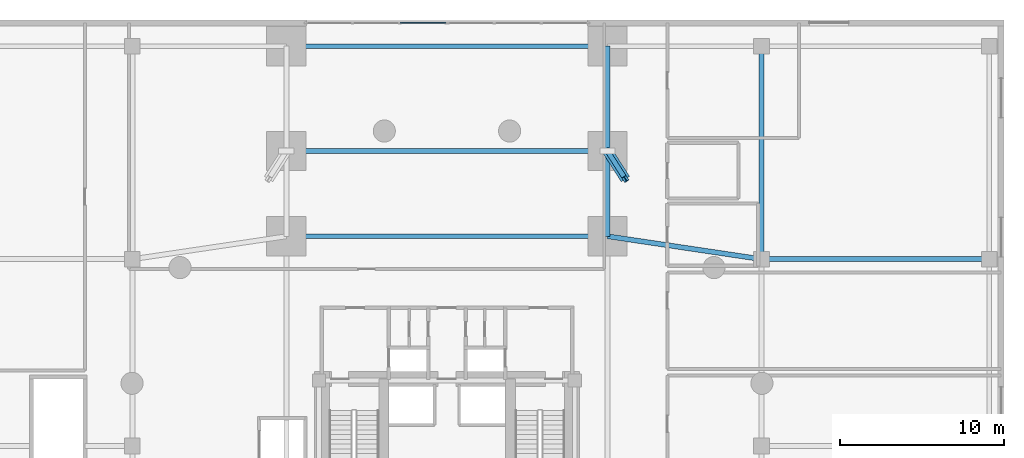
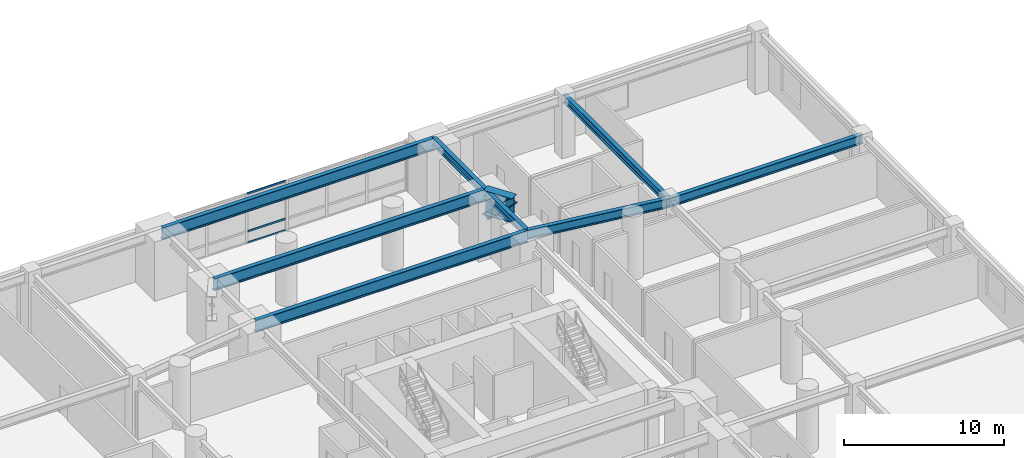
# One storey, part 11 of 17: 9 beams, 4 members, 1 element without a shape of its own.
"""IFC4 building model written with IfcOpenShell, lengths in metres."""

import ifcopenshell
import ifcopenshell.guid

model = None  # the IFC model being written
_history = None  # IfcOwnerHistory: only IFC2X3 demands one
_inside = {}  # id of a spatial element -> (the spatial element, [elements in it])
_under = {}  # id of a project, library or spatial element -> (it, [spatial elements below it])
_declared = {}  # id of a project -> (the project, [libraries it declares])
_typed = {}  # id of a type object -> (the type object, [elements of that type])
_made_of = {}  # id of a material, layer set ... -> (it, [elements and type objects made of it])


def new_model(schema):
    """Start an empty IFC model of exactly this schema.

    Asked for "IFC4X3", IfcOpenShell would pick the latest addendum, in which some entities
    have other attributes; the version numbers below select the first issue.
    IFC2X3 requires an IfcOwnerHistory on every rooted entity: one is made here for all.
    """
    global model, _history
    if schema == "IFC4X3":
        model = ifcopenshell.file(schema_version=(4, 3, 0, 0))
    else:
        model = ifcopenshell.file(schema=schema)
    _inside.clear()
    _under.clear()
    _declared.clear()
    _typed.clear()
    _made_of.clear()
    _history = None
    if model.schema == "IFC2X3":
        org = make("IfcOrganization", Name="unknown")
        user = make(
            "IfcPersonAndOrganization",
            ThePerson=make("IfcPerson", FamilyName="unknown"),
            TheOrganization=org,
        )
        app = make(
            "IfcApplication",
            ApplicationDeveloper=org,
            Version="unknown",
            ApplicationFullName="unknown",
            ApplicationIdentifier="unknown",
        )
        _history = make(
            "IfcOwnerHistory",
            OwningUser=user,
            OwningApplication=app,
            ChangeAction="ADDED",
            CreationDate=0,
        )
    return model


def make(cls, **values):
    """One entity of the class cls with the attributes given. An attribute that is None is left unset."""
    return model.create_entity(
        cls, **{name: value for name, value in values.items() if value is not None}
    )


def rooted(cls, **values):
    """An entity with a GlobalId (a new one), such as an element, a storey or a relation."""
    return make(cls, GlobalId=ifcopenshell.guid.new(), OwnerHistory=_history, **values)


def si_unit(unit_type, name, prefix=None):
    """IfcSIUnit, for example si_unit("LENGTHUNIT", "METRE", prefix="MILLI")."""
    return make("IfcSIUnit", UnitType=unit_type, Prefix=prefix, Name=name)


def assignment(units):
    """IfcUnitAssignment: the units of a project."""
    return None if units is None else make("IfcUnitAssignment", Units=units)


def point(xyz):
    """IfcCartesianPoint."""
    return None if xyz is None else make("IfcCartesianPoint", Coordinates=xyz)


def direction(xyz):
    """IfcDirection."""
    return None if xyz is None else make("IfcDirection", DirectionRatios=xyz)


def frame(location, z_axis=None, x_axis=None):
    """IfcAxis2Placement3D, a coordinate frame: its origin and axes. An axis left out is left unset."""
    return make(
        "IfcAxis2Placement3D",
        Location=point(location),
        Axis=direction(z_axis),
        RefDirection=direction(x_axis),
    )


def frame_2d(location, x_axis=None):
    """IfcAxis2Placement2D, a coordinate frame in the plane: its origin and x axis."""
    return make(
        "IfcAxis2Placement2D", Location=point(location), RefDirection=direction(x_axis)
    )


def origin():
    """The frame at (0, 0, 0) with its axes left unset."""
    return frame((0.0, 0.0, 0.0))


def origin_2d():
    """The frame at (0, 0) in the plane with its x axis left unset."""
    return frame_2d((0.0, 0.0))


def place(relative_to, where):
    """IfcLocalPlacement: puts the frame where relative to a parent placement (None: the world)."""
    return make(
        "IfcLocalPlacement", PlacementRelTo=relative_to, RelativePlacement=where
    )


def context(
    kind, dimensions, precision=None, world=None, true_north=None, identifier=None
):
    """IfcGeometricRepresentationContext, for example the 3D "Model" context."""
    return make(
        "IfcGeometricRepresentationContext",
        ContextIdentifier=identifier,
        ContextType=kind,
        CoordinateSpaceDimension=dimensions,
        Precision=precision,
        WorldCoordinateSystem=world,
        TrueNorth=true_north,
    )


def subcontext(parent, identifier, kind, view, scale=None):
    """IfcGeometricRepresentationSubContext, for example "Body" below "Model"."""
    return make(
        "IfcGeometricRepresentationSubContext",
        ContextIdentifier=identifier,
        ContextType=kind,
        ParentContext=parent,
        TargetScale=scale,
        TargetView=view,
    )


def project(units=None, contexts=None):
    """IfcProject with its units and contexts."""
    return rooted(
        "IfcProject",
        Name="project",
        RepresentationContexts=contexts,
        UnitsInContext=assignment(units),
    )


def spatial(cls, under=None, at=None, **own):
    """A site, building, storey or space (cls), placed at a placement, below another one or the project."""
    s = rooted(cls, ObjectPlacement=at, **own)
    if under is not None:
        _under.setdefault(under.id(), (under, []))[1].append(s)
    return s


def profile(cls, at=None, kind="AREA", **sizes):
    """A parametric profile (cls). Its sizes go by their IFC names, for example OverallWidth=200.0."""
    return make(cls, ProfileType=kind, Position=at, **sizes)


def hollow_rectangle(**sizes):
    """IfcRectangleHollowProfileDef."""
    return profile("IfcRectangleHollowProfileDef", **sizes)


def i_section(**sizes):
    """IfcIShapeProfileDef."""
    return profile("IfcIShapeProfileDef", **sizes)


def extrude(swept, where, along, depth):
    """IfcExtrudedAreaSolid: the profile swept, set in the frame where, extruded along a direction by depth."""
    return make(
        "IfcExtrudedAreaSolid",
        SweptArea=swept,
        Position=where,
        ExtrudedDirection=direction(along),
        Depth=depth,
    )


def shape(context_of_items, identifier, shape_type, items):
    """IfcShapeRepresentation: the items that make up one representation, for example the "Body"."""
    return make(
        "IfcShapeRepresentation",
        ContextOfItems=context_of_items,
        RepresentationIdentifier=identifier,
        RepresentationType=shape_type,
        Items=items,
    )


def material(Name=None, Category=None):
    """IfcMaterial."""
    return make("IfcMaterial", Name=Name, Category=Category)


def layer(
    of_material, thickness, ventilated=None, Name=None, Category=None, Priority=None
):
    """IfcMaterialLayer: one layer of a wall or slab, of a material (None: an air gap)."""
    return make(
        "IfcMaterialLayer",
        Material=of_material,
        LayerThickness=thickness,
        IsVentilated=ventilated,
        Name=Name,
        Category=Category,
        Priority=Priority,
    )


def layer_set(layers, Name=None):
    """IfcMaterialLayerSet."""
    return make("IfcMaterialLayerSet", MaterialLayers=layers, LayerSetName=Name)


def material_profile(
    of_material, cross_section, Name=None, Category=None, Priority=None
):
    """IfcMaterialProfile: a cross section and its material."""
    return make(
        "IfcMaterialProfile",
        Name=Name,
        Material=of_material,
        Profile=cross_section,
        Priority=Priority,
        Category=Category,
    )


def profile_set(profiles, Name=None, composite=None):
    """IfcMaterialProfileSet."""
    return make(
        "IfcMaterialProfileSet",
        Name=Name,
        MaterialProfiles=profiles,
        CompositeProfile=composite,
    )


def made_of(thing, what):
    """Note that an element or type object is made of a material, layer set ...; save() writes the relation."""
    if what is not None:
        _made_of.setdefault(what.id(), (what, []))[1].append(thing)
    return thing


def type_object(cls, material=None, **own):
    """A type object (cls), such as IfcWallType, which elements share."""
    return made_of(rooted(cls, **own), material)


def element(
    cls,
    number,
    at=None,
    inside=None,
    cuts=None,
    type_object=None,
    material=None,
    context=None,
    identifier="Body",
    shape_type=None,
    held_by="IfcProductDefinitionShape",
    body=None,
    shapes=None,
    **own,
):
    """One element of the class cls, such as IfcWall. Its Tag is "e" and its number.

    at: its placement. inside: the storey or other place that contains it. cuts: it is an
    opening in that element (IfcRelVoidsElement). A single representation is given by context,
    identifier, shape_type and body (its items); several are given by shapes. held_by: the class
    of the entity that holds the representations. save() writes the other relations.
    """
    e = rooted(cls, Tag="e%d" % number, ObjectPlacement=at, **own)
    if body is not None:
        shapes = [shape(context, identifier, shape_type, body)]
    if shapes is not None:
        e.Representation = make(held_by, Representations=shapes)
    if inside is not None:
        _inside.setdefault(inside.id(), (inside, []))[1].append(e)
    if cuts is not None:
        rooted(
            "IfcRelVoidsElement", RelatingBuildingElement=cuts, RelatedOpeningElement=e
        )
    if type_object is not None:
        _typed.setdefault(type_object.id(), (type_object, []))[1].append(e)
    return made_of(e, material)


def aggregate(whole, parts):
    """IfcRelAggregates: a whole, such as a stair, and the parts it consists of."""
    return rooted("IfcRelAggregates", RelatingObject=whole, RelatedObjects=parts)


def save(model, path):
    """Write the relations noted so far, then the file.

    IfcRelAggregates (storeys below a building ...), IfcRelContainedInSpatialStructure (elements
    in a storey), IfcRelDefinesByType, IfcRelAssociatesMaterial and IfcRelDeclares: one each for
    every whole, place, type object, material and project.
    """
    for whole, parts in _under.values():
        aggregate(whole, parts)
    for where, things in _inside.values():
        rooted(
            "IfcRelContainedInSpatialStructure",
            RelatedElements=things,
            RelatingStructure=where,
        )
    for kind, things in _typed.values():
        rooted("IfcRelDefinesByType", RelatedObjects=things, RelatingType=kind)
    for what, things in _made_of.values():
        rooted("IfcRelAssociatesMaterial", RelatedObjects=things, RelatingMaterial=what)
    for by, libraries in _declared.values():
        rooted("IfcRelDeclares", RelatingContext=by, RelatedDefinitions=libraries)
    model.write(path)


model = new_model("IFC4")

# Units and contexts
model_context = context("Model", 3, precision=1e-05, world=origin(), true_north=direction((0.0, 1.0)))
body_context = subcontext(model_context, "Body", "Model", "MODEL_VIEW")
ifc_project = project(units=[si_unit("LENGTHUNIT", "METRE"), si_unit("AREAUNIT", "SQUARE_METRE"), si_unit("VOLUMEUNIT", "CUBIC_METRE"), si_unit("PLANEANGLEUNIT", "RADIAN"), si_unit("MASSUNIT", "GRAM", prefix="KILO"), si_unit("THERMODYNAMICTEMPERATUREUNIT", "KELVIN"), si_unit("POWERUNIT", "WATT")], contexts=[model_context])

# Site, building, storey
site_placement = place(None, origin())
site = spatial("IfcSite", under=ifc_project, at=site_placement, CompositionType="ELEMENT")
building_placement = place(site_placement, origin())
building = spatial("IfcBuilding", under=site, at=building_placement, Name="Ocrelia Relay Tower", CompositionType="ELEMENT")
storey_placement = place(building_placement, frame((0.0, 0.0, 25.199951171875)))
storey = spatial("IfcBuildingStorey", under=building, at=storey_placement, Name="L05", CompositionType="ELEMENT", Elevation=25.199951171875)

# Beams
ifc_material_1 = material(Name="Steel S355", Category="steel")
ifc_material_profile_1 = material_profile(ifc_material_1, i_section(OverallWidth=0.300048828125, OverallDepth=0.60009765625, WebThickness=0.015380859375, FlangeThickness=0.030029296875, FilletRadius=0.027099609375, at=origin_2d()), Name="HEB 600")
ifc_profile_set_1 = profile_set([ifc_material_profile_1], Name="Steel S355")
beam_type_1 = type_object("IfcBeamType", Name="BM-HEB600", PredefinedType="BEAM", material=ifc_profile_set_1)
beam_1_placement = place(storey_placement, frame((53.199951171875, 37.39990234375, 4.219970703125), z_axis=(0.0, 1.0, 0.0), x_axis=(-1.0, 0.0, 0.0)))
element("IfcBeam", 1, at=beam_1_placement, inside=storey, type_object=beam_type_1, Name="L05 Podium Span Girder IE-4", PredefinedType="BEAM", context=body_context, shape_type="SweptSolid", body=[
    extrude(i_section(OverallWidth=0.300048828125, OverallDepth=0.60009765625, WebThickness=0.015380859375, FlangeThickness=0.030029296875, FilletRadius=0.027099609375, at=origin_2d()), origin(), (0.0, 0.0, 1.0), 13.0),
])
beam_2_placement = place(storey_placement, frame((43.800048828125, 38.800048828125, 4.219970703125), z_axis=(0.0, 1.0, 0.0), x_axis=(-1.0, 0.0, 0.0)))
element("IfcBeam", 2, at=beam_2_placement, inside=storey, type_object=beam_type_1, Name="L05 Pier Line Tie Girder AE-4", PredefinedType="BEAM", context=body_context, shape_type="SweptSolid", body=[
    extrude(i_section(OverallWidth=0.300048828125, OverallDepth=0.60009765625, WebThickness=0.015380859375, FlangeThickness=0.030029296875, FilletRadius=0.027099609375, at=origin_2d()), origin(), (0.0, 0.0, 1.0), 5.199951171875),
])
beam_3_placement = place(storey_placement, frame((43.800048828125, 44.0, 4.219970703125), z_axis=(0.0, 1.0, 0.0), x_axis=(-1.0, 0.0, 0.0)))
element("IfcBeam", 3, at=beam_3_placement, inside=storey, type_object=beam_type_1, Name="L05 Pier Line Tie Girder AE-5", PredefinedType="BEAM", context=body_context, shape_type="SweptSolid", body=[
    extrude(i_section(OverallWidth=0.300048828125, OverallDepth=0.60009765625, WebThickness=0.015380859375, FlangeThickness=0.030029296875, FilletRadius=0.027099609375, at=origin_2d()), origin(), (0.0, 0.0, 1.0), 6.39990234375),
])
ifc_material_profile_2 = material_profile(ifc_material_1, i_section(OverallWidth=0.300048828125, OverallDepth=0.699951171875, WebThickness=0.01708984375, FlangeThickness=0.031982421875, FilletRadius=0.027099609375, at=origin_2d()), Name="HEB 700")
ifc_profile_set_2 = profile_set([ifc_material_profile_2], Name="Steel S355")
beam_type_2 = type_object("IfcBeamType", Name="BM-HEB700", PredefinedType="BEAM", material=ifc_profile_set_2)
beam_4_placement = place(storey_placement, frame((43.800048828125, 38.800048828125, 4.170166015625), z_axis=(0.989087708935, -0.14732787935, 0.0), x_axis=(0.14732787935, 0.989087708935, 0.0)))
element("IfcBeam", 4, at=beam_4_placement, inside=storey, type_object=beam_type_2, Name="L05 East Inner Podium Girder M2", PredefinedType="BEAM", context=body_context, shape_type="SweptSolid", body=[
    extrude(i_section(OverallWidth=0.300048828125, OverallDepth=0.699951171875, WebThickness=0.01708984375, FlangeThickness=0.031982421875, FilletRadius=0.027099609375, at=origin_2d()), origin(), (0.0, 0.0, 1.0), 9.503662109375),
])
beam_5_placement = place(storey_placement, frame((53.199951171875, 37.39990234375, 4.170166015625), z_axis=(1.0, 0.0, 0.0), x_axis=(0.0, 1.0, 0.0)))
element("IfcBeam", 5, at=beam_5_placement, inside=storey, type_object=beam_type_2, Name="L05 East Outer Podium Girder M2", PredefinedType="BEAM", context=body_context, shape_type="SweptSolid", body=[
    extrude(i_section(OverallWidth=0.300048828125, OverallDepth=0.699951171875, WebThickness=0.01708984375, FlangeThickness=0.031982421875, FilletRadius=0.027099609375, at=origin_2d()), origin(), (0.0, 0.0, 1.0), 13.900146484375),
])
ifc_material_profile_3 = material_profile(ifc_material_1, i_section(OverallWidth=0.300048828125, OverallDepth=0.89990234375, WebThickness=0.0185546875, FlangeThickness=0.034912109375, FilletRadius=0.030029296875, at=origin_2d()), Name="HEB 900")
ifc_profile_set_3 = profile_set([ifc_material_profile_3], Name="Steel S355")
beam_type_3 = type_object("IfcBeamType", Name="BM-HEB900", PredefinedType="BEAM", material=ifc_profile_set_3)
for number, where, z_axis, x_axis, name in (
    (6, (24.199951171875, 38.800048828125, 4.070068359375), (1.0, 0.0, 0.0), (0.0, 1.0, 0.0), "L05 Portal Arch Span Transfer Girder G5"),
    (7, (24.199951171875, 44.0, 4.070068359375), (1.0, 0.0, 0.0), (0.0, 1.0, 0.0), "L05 Portal Arch Span Transfer Girder G6"),
    (8, (24.199951171875, 50.39990234375, 4.070068359375), (1.0, 0.0, 0.0), (0.0, 1.0, 0.0), "L05 Portal Arch Span Transfer Girder G7"),
):
    element("IfcBeam", number, at=place(storey_placement, frame(where, z_axis=z_axis, x_axis=x_axis)), inside=storey, type_object=beam_type_3, Name=name, PredefinedType="BEAM", context=body_context, shape_type="SweptSolid", body=[
        extrude(i_section(OverallWidth=0.300048828125, OverallDepth=0.89990234375, WebThickness=0.0185546875, FlangeThickness=0.034912109375, FilletRadius=0.030029296875, at=origin_2d()), origin(), (0.0, 0.0, 1.0), 19.60009765625),
    ])
ifc_material_profile_4 = material_profile(ifc_material_1, i_section(OverallWidth=0.60009765625, OverallDepth=1.85009765625, WebThickness=0.028076171875, FlangeThickness=0.0400390625, FilletRadius=0.02001953125, at=origin_2d()), Name="WPG 1850x600")
ifc_profile_set_4 = profile_set([ifc_material_profile_4], Name="Steel S355")
beam_type_4 = type_object("IfcBeamType", Name="BM-WPG1650", PredefinedType="T_BEAM", material=ifc_profile_set_4)
beam_6_placement = place(storey_placement, frame((43.800048828125, 44.0, 3.594970703125), z_axis=(0.538741803588, -0.842470930695, 0.0), x_axis=(0.842470930695, 0.538741803588, 0.0)))
element("IfcBeam", 9, at=beam_6_placement, inside=storey, type_object=beam_type_4, Name="L05 Pier Head Transfer Cap 03", PredefinedType="T_BEAM", context=body_context, shape_type="SweptSolid", body=[
    extrude(i_section(OverallWidth=0.60009765625, OverallDepth=1.85009765625, WebThickness=0.028076171875, FlangeThickness=0.0400390625, FilletRadius=0.02001953125, at=origin_2d()), origin(), (0.0, 0.0, 1.0), 2.021484375),
])

# Curtain wall, members
ifc_material_2 = material(Name="Aluminium and solar-control low-E glass", Category="aluminium")
ifc_layer = layer(ifc_material_2, 0.179931640625, Name="Aluminium and solar-control low-E glass")
ifc_layer_set = layer_set([ifc_layer], Name="Aluminium and solar-control low-E glass")
curtain_wall_type = type_object("IfcCurtainWallType", Name="CW-SYS-POD-GALL", PredefinedType="NOTDEFINED", material=ifc_layer_set)
curtain_wall_placement = place(storey_placement, origin())
curtain_wall = element("IfcCurtainWall", 10, at=curtain_wall_placement, inside=storey, type_object=curtain_wall_type, Name="L05 North Over-Arch Curtain Wall West", PredefinedType="NOTDEFINED")
ifc_material_3 = material(Name="Anodised bronze aluminium", Category="aluminium")
ifc_material_profile_5 = material_profile(ifc_material_3, hollow_rectangle(XDim=0.06494140625, YDim=0.139892578125, WallThickness=0.0048828125, at=origin_2d()), Name="CW-TRN-140x65")
ifc_profile_set_5 = profile_set([ifc_material_profile_5], Name="Anodised bronze aluminium")
member_type_1 = type_object("IfcMemberType", Name="CW-SYS-POD-GALL-TRN", PredefinedType="USERDEFINED", material=ifc_profile_set_5)
member_1_placement = place(storey_placement, frame((31.151611328125, 51.820068359375, 0.032470703125), z_axis=(1.0, 0.0, 0.0), x_axis=(0.0, 1.0, 0.0)))
member_1 = element("IfcMember", 11, at=member_1_placement, type_object=member_type_1, Name="CW-PG transom 3.1", ObjectType="TRANSOM", PredefinedType="USERDEFINED", context=body_context, shape_type="SweptSolid", body=[
    extrude(hollow_rectangle(XDim=0.06494140625, YDim=0.139892578125, WallThickness=0.0048828125, at=origin_2d()), origin(), (0.0, 0.0, 1.0), 2.7783203125),
])
member_2_placement = place(storey_placement, frame((31.151611328125, 51.820068359375, 0.900146484375), z_axis=(1.0, 0.0, 0.0), x_axis=(0.0, 1.0, 0.0)))
member_2 = element("IfcMember", 12, at=member_2_placement, type_object=member_type_1, Name="CW-PG transom 3.2", ObjectType="TRANSOM", PredefinedType="USERDEFINED", context=body_context, shape_type="SweptSolid", body=[
    extrude(hollow_rectangle(XDim=0.06494140625, YDim=0.139892578125, WallThickness=0.0048828125, at=origin_2d()), origin(), (0.0, 0.0, 1.0), 2.7783203125),
])
member_3_placement = place(storey_placement, frame((31.151611328125, 51.820068359375, 3.767578125), z_axis=(1.0, 0.0, 0.0), x_axis=(0.0, 1.0, 0.0)))
member_3 = element("IfcMember", 13, at=member_3_placement, type_object=member_type_1, Name="CW-PG transom 3.3", ObjectType="TRANSOM", PredefinedType="USERDEFINED", context=body_context, shape_type="SweptSolid", body=[
    extrude(hollow_rectangle(XDim=0.06494140625, YDim=0.139892578125, WallThickness=0.0048828125, at=origin_2d()), origin(), (0.0, 0.0, 1.0), 2.7783203125),
])
aggregate(curtain_wall, [member_1, member_2, member_3])

# Member
ifc_material_profile_6 = material_profile(ifc_material_1, i_section(OverallWidth=0.300048828125, OverallDepth=0.5, WebThickness=0.014404296875, FlangeThickness=0.028076171875, FilletRadius=0.027099609375, at=origin_2d()), Name="HEB 500")
ifc_profile_set_6 = profile_set([ifc_material_profile_6], Name="Steel S355")
member_type_2 = type_object("IfcMemberType", Name="MB-RAKER-STRUT", PredefinedType="STRUT", material=ifc_profile_set_6)
member_4_placement = place(storey_placement, frame((43.800048828125, 44.0, 2.35009765625), z_axis=(0.390643663131, -0.610878770232, 0.688639714608), x_axis=(0.842470930695, 0.538741803588, 0.0)))
element("IfcMember", 14, at=member_4_placement, inside=storey, type_object=member_type_2, Name="L05 Pier Transfer Raker 03", PredefinedType="STRUT", context=body_context, shape_type="SweptSolid", body=[
    extrude(i_section(OverallWidth=0.300048828125, OverallDepth=0.5, WebThickness=0.014404296875, FlangeThickness=0.028076171875, FilletRadius=0.027099609375, at=origin_2d()), origin(), (0.0, 0.0, 1.0), 2.7880859375),
])

save(model, "model.ifc")
